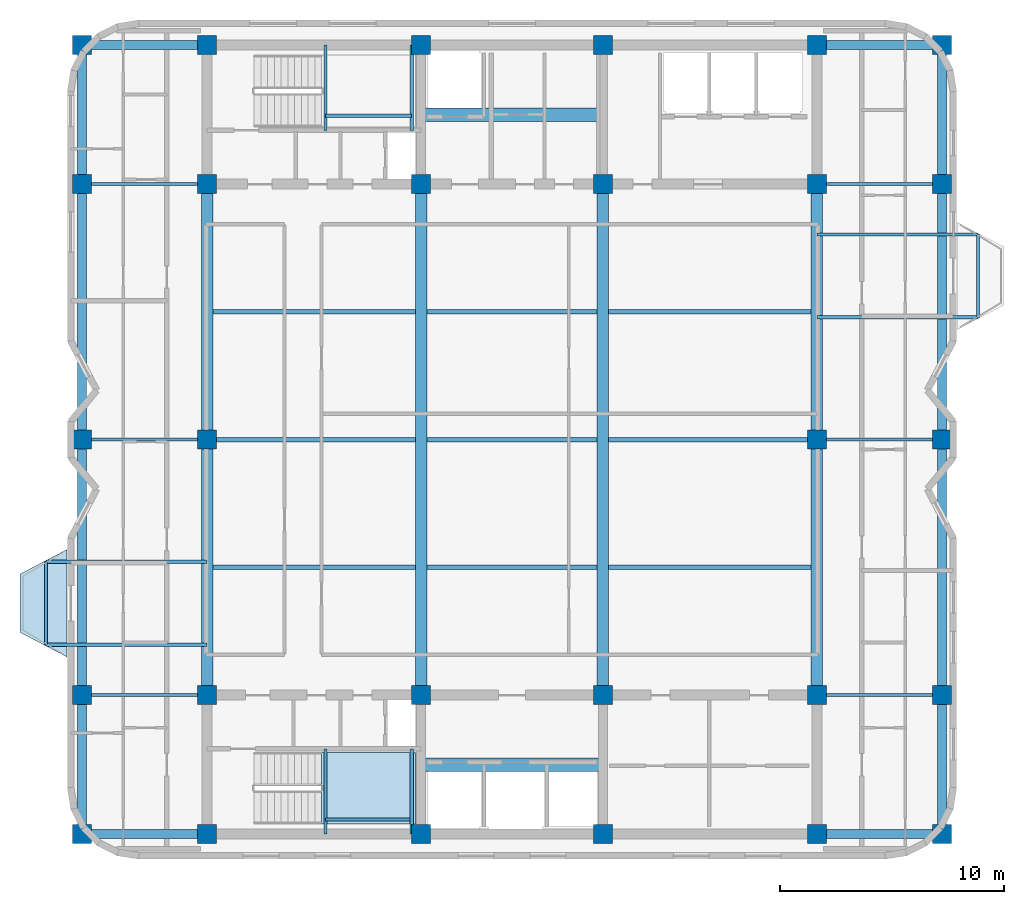
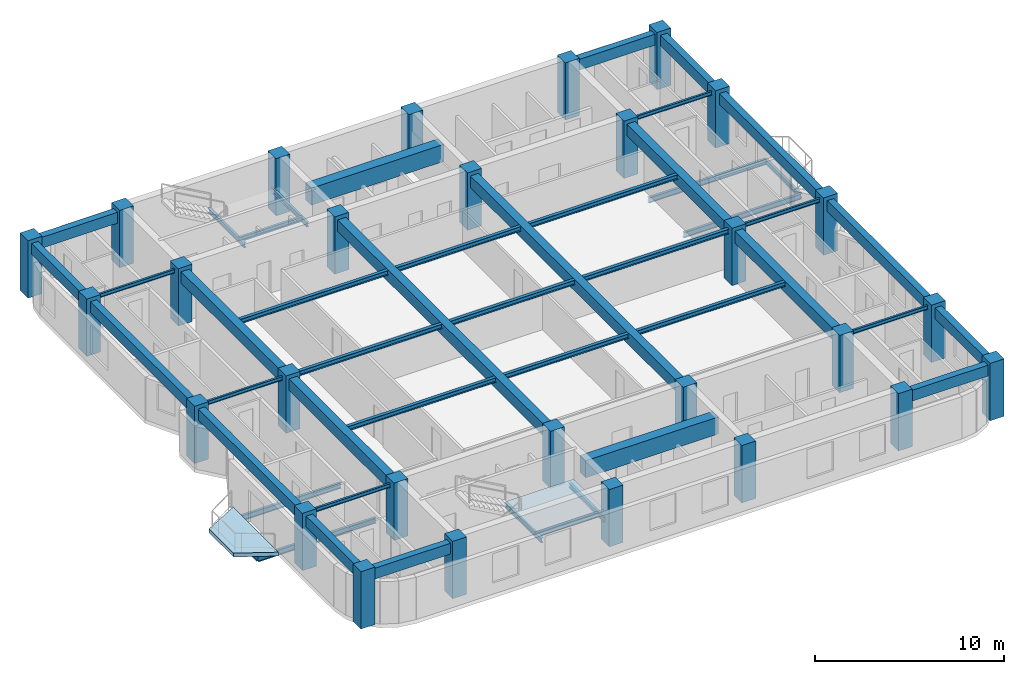
# One storey, part 1 of 9: 47 beams, 28 columns, 2 slabs, 1 element without a shape of its own.
"""IFC4 building model written with IfcOpenShell, lengths in metres."""

from ifc_helpers import new_model, si_unit, direction, frame, origin, origin_2d, place, context, subcontext, project, spatial, polyline, rectangle, i_section, outline, extrude, material, layer, layer_set, material_profile, profile_set, type_object, element, aggregate, save


model = new_model("IFC4")

# Units and contexts
model_context = context("Model", 3, precision=1e-05, world=origin(), true_north=direction((0.0, 1.0)))
body_context = subcontext(model_context, "Body", "Model", "MODEL_VIEW")
ifc_project = project(units=[si_unit("LENGTHUNIT", "METRE"), si_unit("AREAUNIT", "SQUARE_METRE"), si_unit("VOLUMEUNIT", "CUBIC_METRE"), si_unit("PLANEANGLEUNIT", "RADIAN"), si_unit("MASSUNIT", "GRAM", prefix="KILO")], contexts=[model_context])

# Site, building, storey
site_placement = place(None, origin())
site = spatial("IfcSite", under=ifc_project, at=site_placement, CompositionType="ELEMENT")
building_placement = place(site_placement, origin())
building = spatial("IfcBuilding", under=site, at=building_placement, Name="Svetorya Sky Lyceum", CompositionType="ELEMENT")
storey_placement = place(building_placement, frame((0.0, 0.0, 244.300048828125)))
storey = spatial("IfcBuildingStorey", under=building, at=storey_placement, Name="L61", CompositionType="ELEMENT", Elevation=244.300048828125)

# Columns
ifc_material_1 = material(Name="Concrete C50/60", Category="concrete")
ifc_material_profile_1 = material_profile(ifc_material_1, rectangle(XDim=0.85009765625, YDim=0.85009765625, at=origin_2d()), Name="RC COL 850x850")
ifc_profile_set_1 = profile_set([ifc_material_profile_1], Name="Concrete C50/60")
column_type = type_object("IfcColumnType", Name="COL-RC-850", PredefinedType="COLUMN", material=ifc_profile_set_1)
for number, where, z_axis, x_axis, name in (
    (1, (25.60009765625, 10.60009765625, 0.0), (0.0, 0.0, 1.0), (1.0, 0.0, 0.0), "L61 Core Column CS-11"),
    (2, (25.60009765625, 16.800048828125, 0.0), (0.0, 0.0, 1.0), (1.0, 0.0, 0.0), "L61 Core Column CS-12"),
    (3, (35.14990234375, 10.60009765625, 0.0), (0.0, 0.0, 1.0), (1.0, 0.0, 0.0), "L61 Core Column CS-21"),
    (4, (35.14990234375, 16.800048828125, 0.0), (0.0, 0.0, 1.0), (1.0, 0.0, 0.0), "L61 Core Column CS-22"),
    (5, (43.25, 10.60009765625, 0.0), (0.0, 0.0, 1.0), (1.0, 0.0, 0.0), "L61 Core Column CS-31"),
    (6, (43.25, 16.800048828125, 0.0), (0.0, 0.0, 1.0), (1.0, 0.0, 0.0), "L61 Core Column CS-32"),
    (7, (52.800048828125, 10.60009765625, 0.0), (0.0, 0.0, 1.0), (1.0, 0.0, 0.0), "L61 Core Column CS-41"),
    (8, (52.800048828125, 16.800048828125, 0.0), (0.0, 0.0, 1.0), (1.0, 0.0, 0.0), "L61 Core Column CS-42"),
    (9, (25.60009765625, 39.60009765625, 0.0), (0.0, 0.0, 1.0), (1.0, 0.0, 0.0), "L61 Core Column CN-11"),
    (10, (25.60009765625, 45.800048828125, 0.0), (0.0, 0.0, 1.0), (1.0, 0.0, 0.0), "L61 Core Column CN-12"),
    (11, (35.14990234375, 39.60009765625, 0.0), (0.0, 0.0, 1.0), (1.0, 0.0, 0.0), "L61 Core Column CN-21"),
    (12, (35.14990234375, 45.800048828125, 0.0), (0.0, 0.0, 1.0), (1.0, 0.0, 0.0), "L61 Core Column CN-22"),
    (13, (43.25, 39.60009765625, 0.0), (0.0, 0.0, 1.0), (1.0, 0.0, 0.0), "L61 Core Column CN-31"),
    (14, (43.25, 45.800048828125, 0.0), (0.0, 0.0, 1.0), (1.0, 0.0, 0.0), "L61 Core Column CN-32"),
    (15, (52.800048828125, 39.60009765625, 0.0), (0.0, 0.0, 1.0), (1.0, 0.0, 0.0), "L61 Core Column CN-41"),
    (16, (52.800048828125, 45.800048828125, 0.0), (0.0, 0.0, 1.0), (1.0, 0.0, 0.0), "L61 Core Column CN-42"),
    (17, (25.60009765625, 28.199951171875, 0.0), (0.0, 0.0, 1.0), (1.0, 0.0, 0.0), "L61 Core Column CM-W"),
    (18, (52.800048828125, 28.199951171875, 0.0), (0.0, 0.0, 1.0), (1.0, 0.0, 0.0), "L61 Core Column CM-E"),
    (19, (20.010009765625, 10.60009765625, 0.0), (0.0, 0.0, 1.0), (1.0, 0.0, 0.0), "L61 Perimeter Column W1"),
    (20, (58.389892578125, 10.60009765625, 0.0), (0.0, 0.0, 1.0), (1.0, 0.0, 0.0), "L61 Perimeter Column E1"),
    (21, (20.010009765625, 16.800048828125, 0.0), (0.0, 0.0, 1.0), (1.0, 0.0, 0.0), "L61 Perimeter Column W2"),
    (22, (58.389892578125, 16.800048828125, 0.0), (0.0, 0.0, 1.0), (1.0, 0.0, 0.0), "L61 Perimeter Column E2"),
    (23, (20.010009765625, 28.199951171875, 0.0), (0.0, 0.0, 1.0), (1.0, 0.0, 0.0), "L61 Perimeter Column W3"),
    (24, (58.389892578125, 28.199951171875, 0.0), (0.0, 0.0, 1.0), (1.0, 0.0, 0.0), "L61 Perimeter Column E3"),
    (25, (20.010009765625, 39.60009765625, 0.0), (0.0, 0.0, 1.0), (1.0, 0.0, 0.0), "L61 Perimeter Column W4"),
    (26, (58.389892578125, 39.60009765625, 0.0), (0.0, 0.0, 1.0), (1.0, 0.0, 0.0), "L61 Perimeter Column E4"),
    (27, (20.010009765625, 45.800048828125, 0.0), (0.0, 0.0, 1.0), (1.0, 0.0, 0.0), "L61 Perimeter Column W5"),
    (28, (58.389892578125, 45.800048828125, 0.0), (0.0, 0.0, 1.0), (1.0, 0.0, 0.0), "L61 Perimeter Column E5"),
):
    element("IfcColumn", number, at=place(storey_placement, frame(where, z_axis=z_axis, x_axis=x_axis)), inside=storey, type_object=column_type, Name=name, PredefinedType="COLUMN", context=body_context, shape_type="SweptSolid", body=[
        extrude(rectangle(XDim=0.85009765625, YDim=0.85009765625, at=origin_2d()), origin(), (0.0, 0.0, 1.0), 3.699951171875),
    ])

# Beams
ifc_material_2 = material(Name="Concrete C60/75", Category="concrete")
ifc_material_profile_2 = material_profile(ifc_material_2, rectangle(XDim=0.60009765625, YDim=1.10009765625, at=origin_2d()), Name="RC COUPLING 600x1100")
ifc_profile_set_2 = profile_set([ifc_material_profile_2], Name="Concrete C60/75")
beam_type_1 = type_object("IfcBeamType", Name="BM-CPL-1100", PredefinedType="LINTEL", material=ifc_profile_set_2)
for number, where, z_axis, x_axis, name in (
    (29, (35.14990234375, 13.699951171875, 2.89990234375), (1.0, 0.0, 0.0), (0.0, 1.0, 0.0), "L61 SC Core Coupling Beam"),
    (30, (35.14990234375, 42.699951171875, 2.89990234375), (1.0, 0.0, 0.0), (0.0, 1.0, 0.0), "L61 NC Core Coupling Beam"),
):
    element("IfcBeam", number, at=place(storey_placement, frame(where, z_axis=z_axis, x_axis=x_axis)), inside=storey, type_object=beam_type_1, Name=name, PredefinedType="LINTEL", context=body_context, shape_type="SweptSolid", body=[
        extrude(rectangle(XDim=0.60009765625, YDim=1.10009765625, at=origin_2d()), origin(), (0.0, 0.0, 1.0), 8.10009765625),
    ])
ifc_material_profile_3 = material_profile(ifc_material_1, rectangle(XDim=0.5, YDim=0.75, at=origin_2d()), Name="RC BEAM 500x750")
ifc_profile_set_3 = profile_set([ifc_material_profile_3], Name="Concrete C50/60")
beam_type_2 = type_object("IfcBeamType", Name="BM-RC-750", PredefinedType="BEAM", material=ifc_profile_set_3)
beam_1_placement = place(storey_placement, frame((25.60009765625, 16.800048828125, 3.074951171875), z_axis=(0.0, 1.0, 0.0), x_axis=(-1.0, 0.0, 0.0)))
element("IfcBeam", 31, at=beam_1_placement, inside=storey, type_object=beam_type_2, Name="L61 Central Bay Primary Girder CG-1A", PredefinedType="BEAM", context=body_context, shape_type="SweptSolid", body=[
    extrude(rectangle(XDim=0.5, YDim=0.75, at=origin_2d()), origin(), (0.0, 0.0, 1.0), 11.39990234375),
])
beam_2_placement = place(storey_placement, frame((25.60009765625, 28.199951171875, 3.074951171875), z_axis=(0.0, 1.0, 0.0), x_axis=(-1.0, 0.0, 0.0)))
element("IfcBeam", 32, at=beam_2_placement, inside=storey, type_object=beam_type_2, Name="L61 Central Bay Primary Girder CG-1B", PredefinedType="BEAM", context=body_context, shape_type="SweptSolid", body=[
    extrude(rectangle(XDim=0.5, YDim=0.75, at=origin_2d()), origin(), (0.0, 0.0, 1.0), 11.400146484375),
])
for number, where, z_axis, x_axis, name in (
    (33, (35.14990234375, 16.800048828125, 3.074951171875), (0.0, 1.0, 0.0), (-1.0, 0.0, 0.0), "L61 Central Bay Primary Girder CG-2"),
    (34, (43.25, 16.800048828125, 3.074951171875), (0.0, 1.0, 0.0), (-1.0, 0.0, 0.0), "L61 Central Bay Primary Girder CG-3"),
):
    element("IfcBeam", number, at=place(storey_placement, frame(where, z_axis=z_axis, x_axis=x_axis)), inside=storey, type_object=beam_type_2, Name=name, PredefinedType="BEAM", context=body_context, shape_type="SweptSolid", body=[
        extrude(rectangle(XDim=0.5, YDim=0.75, at=origin_2d()), origin(), (0.0, 0.0, 1.0), 22.800048828125),
    ])
beam_3_placement = place(storey_placement, frame((52.800048828125, 16.800048828125, 3.074951171875), z_axis=(0.0, 1.0, 0.0), x_axis=(-1.0, 0.0, 0.0)))
element("IfcBeam", 35, at=beam_3_placement, inside=storey, type_object=beam_type_2, Name="L61 Central Bay Primary Girder CG-4A", PredefinedType="BEAM", context=body_context, shape_type="SweptSolid", body=[
    extrude(rectangle(XDim=0.5, YDim=0.75, at=origin_2d()), origin(), (0.0, 0.0, 1.0), 11.39990234375),
])
beam_4_placement = place(storey_placement, frame((52.800048828125, 28.199951171875, 3.074951171875), z_axis=(0.0, 1.0, 0.0), x_axis=(-1.0, 0.0, 0.0)))
element("IfcBeam", 36, at=beam_4_placement, inside=storey, type_object=beam_type_2, Name="L61 Central Bay Primary Girder CG-4B", PredefinedType="BEAM", context=body_context, shape_type="SweptSolid", body=[
    extrude(rectangle(XDim=0.5, YDim=0.75, at=origin_2d()), origin(), (0.0, 0.0, 1.0), 11.400146484375),
])
ifc_material_profile_4 = material_profile(ifc_material_1, rectangle(XDim=0.39990234375, YDim=0.699951171875, at=origin_2d()), Name="RC SPANDREL 400x700")
ifc_profile_set_4 = profile_set([ifc_material_profile_4], Name="Concrete C50/60")
beam_type_3 = type_object("IfcBeamType", Name="BM-SPN-700", PredefinedType="SPANDREL", material=ifc_profile_set_4)
for number, where, z_axis, x_axis, name in (
    (37, (20.010009765625, 10.60009765625, 3.099853515625), (1.0, 0.0, 0.0), (0.0, 1.0, 0.0), "L61 Tie Spandrel SW"),
    (38, (20.010009765625, 45.800048828125, 3.099853515625), (1.0, 0.0, 0.0), (0.0, 1.0, 0.0), "L61 Tie Spandrel NW"),
):
    element("IfcBeam", number, at=place(storey_placement, frame(where, z_axis=z_axis, x_axis=x_axis)), inside=storey, type_object=beam_type_3, Name=name, PredefinedType="SPANDREL", context=body_context, shape_type="SweptSolid", body=[
        extrude(rectangle(XDim=0.39990234375, YDim=0.699951171875, at=origin_2d()), origin(), (0.0, 0.0, 1.0), 5.590087890625),
    ])
for number, where, z_axis, x_axis, name in (
    (39, (52.800048828125, 10.60009765625, 3.099853515625), (1.0, 0.0, 0.0), (0.0, 1.0, 0.0), "L61 Tie Spandrel SE"),
    (40, (52.800048828125, 45.800048828125, 3.099853515625), (1.0, 0.0, 0.0), (0.0, 1.0, 0.0), "L61 Tie Spandrel NE"),
):
    element("IfcBeam", number, at=place(storey_placement, frame(where, z_axis=z_axis, x_axis=x_axis)), inside=storey, type_object=beam_type_3, Name=name, PredefinedType="SPANDREL", context=body_context, shape_type="SweptSolid", body=[
        extrude(rectangle(XDim=0.39990234375, YDim=0.699951171875, at=origin_2d()), origin(), (0.0, 0.0, 1.0), 5.58984375),
    ])
beam_5_placement = place(storey_placement, frame((20.010009765625, 10.60009765625, 3.099853515625), z_axis=(0.0, 1.0, 0.0), x_axis=(-1.0, 0.0, 0.0)))
element("IfcBeam", 41, at=beam_5_placement, inside=storey, type_object=beam_type_3, Name="L61 West Spandrel 1", PredefinedType="SPANDREL", context=body_context, shape_type="SweptSolid", body=[
    extrude(rectangle(XDim=0.39990234375, YDim=0.699951171875, at=origin_2d()), origin(), (0.0, 0.0, 1.0), 6.199951171875),
])
beam_6_placement = place(storey_placement, frame((20.010009765625, 16.800048828125, 3.099853515625), z_axis=(0.0, 1.0, 0.0), x_axis=(-1.0, 0.0, 0.0)))
element("IfcBeam", 42, at=beam_6_placement, inside=storey, type_object=beam_type_3, Name="L61 West Spandrel 2", PredefinedType="SPANDREL", context=body_context, shape_type="SweptSolid", body=[
    extrude(rectangle(XDim=0.39990234375, YDim=0.699951171875, at=origin_2d()), origin(), (0.0, 0.0, 1.0), 11.39990234375),
])
beam_7_placement = place(storey_placement, frame((20.010009765625, 28.199951171875, 3.099853515625), z_axis=(0.0, 1.0, 0.0), x_axis=(-1.0, 0.0, 0.0)))
element("IfcBeam", 43, at=beam_7_placement, inside=storey, type_object=beam_type_3, Name="L61 West Spandrel 3", PredefinedType="SPANDREL", context=body_context, shape_type="SweptSolid", body=[
    extrude(rectangle(XDim=0.39990234375, YDim=0.699951171875, at=origin_2d()), origin(), (0.0, 0.0, 1.0), 11.400146484375),
])
for number, where, z_axis, x_axis, name in (
    (44, (20.010009765625, 39.60009765625, 3.099853515625), (0.0, 1.0, 0.0), (-1.0, 0.0, 0.0), "L61 West Spandrel 4"),
    (45, (58.389892578125, 10.60009765625, 3.099853515625), (0.0, 1.0, 0.0), (-1.0, 0.0, 0.0), "L61 East Spandrel 1"),
):
    element("IfcBeam", number, at=place(storey_placement, frame(where, z_axis=z_axis, x_axis=x_axis)), inside=storey, type_object=beam_type_3, Name=name, PredefinedType="SPANDREL", context=body_context, shape_type="SweptSolid", body=[
        extrude(rectangle(XDim=0.39990234375, YDim=0.699951171875, at=origin_2d()), origin(), (0.0, 0.0, 1.0), 6.199951171875),
    ])
beam_8_placement = place(storey_placement, frame((58.389892578125, 16.800048828125, 3.099853515625), z_axis=(0.0, 1.0, 0.0), x_axis=(-1.0, 0.0, 0.0)))
element("IfcBeam", 46, at=beam_8_placement, inside=storey, type_object=beam_type_3, Name="L61 East Spandrel 2", PredefinedType="SPANDREL", context=body_context, shape_type="SweptSolid", body=[
    extrude(rectangle(XDim=0.39990234375, YDim=0.699951171875, at=origin_2d()), origin(), (0.0, 0.0, 1.0), 11.39990234375),
])
beam_9_placement = place(storey_placement, frame((58.389892578125, 28.199951171875, 3.099853515625), z_axis=(0.0, 1.0, 0.0), x_axis=(-1.0, 0.0, 0.0)))
element("IfcBeam", 47, at=beam_9_placement, inside=storey, type_object=beam_type_3, Name="L61 East Spandrel 3", PredefinedType="SPANDREL", context=body_context, shape_type="SweptSolid", body=[
    extrude(rectangle(XDim=0.39990234375, YDim=0.699951171875, at=origin_2d()), origin(), (0.0, 0.0, 1.0), 11.400146484375),
])
beam_10_placement = place(storey_placement, frame((58.389892578125, 39.60009765625, 3.099853515625), z_axis=(0.0, 1.0, 0.0), x_axis=(-1.0, 0.0, 0.0)))
element("IfcBeam", 48, at=beam_10_placement, inside=storey, type_object=beam_type_3, Name="L61 East Spandrel 4", PredefinedType="SPANDREL", context=body_context, shape_type="SweptSolid", body=[
    extrude(rectangle(XDim=0.39990234375, YDim=0.699951171875, at=origin_2d()), origin(), (0.0, 0.0, 1.0), 6.199951171875),
])
ifc_material_3 = material(Name="Steel S355", Category="steel")
ifc_material_profile_5 = material_profile(ifc_material_3, i_section(OverallWidth=0.1240234375, OverallDepth=0.248046875, WebThickness=0.006103515625, FlangeThickness=0.009521484375, at=origin_2d()), Name="GOST 25B2")
ifc_profile_set_5 = profile_set([ifc_material_profile_5], Name="Steel S355")
beam_type_4 = type_object("IfcBeamType", Name="BM-STL-25B2", PredefinedType="JOIST", material=ifc_profile_set_5)
beam_11_placement = place(storey_placement, frame((20.010009765625, 16.800048828125, 3.325927734375), z_axis=(1.0, 0.0, 0.0), x_axis=(0.0, 1.0, 0.0)))
element("IfcBeam", 49, at=beam_11_placement, inside=storey, type_object=beam_type_4, Name="L61 West Wing Floor Joist W2", PredefinedType="JOIST", context=body_context, shape_type="SweptSolid", body=[
    extrude(i_section(OverallWidth=0.1240234375, OverallDepth=0.248046875, WebThickness=0.006103515625, FlangeThickness=0.009521484375, at=origin_2d()), origin(), (0.0, 0.0, 1.0), 5.590087890625),
])
beam_12_placement = place(storey_placement, frame((52.800048828125, 16.800048828125, 3.325927734375), z_axis=(1.0, 0.0, 0.0), x_axis=(0.0, 1.0, 0.0)))
element("IfcBeam", 50, at=beam_12_placement, inside=storey, type_object=beam_type_4, Name="L61 East Wing Floor Joist E2", PredefinedType="JOIST", context=body_context, shape_type="SweptSolid", body=[
    extrude(i_section(OverallWidth=0.1240234375, OverallDepth=0.248046875, WebThickness=0.006103515625, FlangeThickness=0.009521484375, at=origin_2d()), origin(), (0.0, 0.0, 1.0), 5.58984375),
])
beam_13_placement = place(storey_placement, frame((20.010009765625, 28.199951171875, 3.325927734375), z_axis=(1.0, 0.0, 0.0), x_axis=(0.0, 1.0, 0.0)))
element("IfcBeam", 51, at=beam_13_placement, inside=storey, type_object=beam_type_4, Name="L61 West Wing Floor Joist W3", PredefinedType="JOIST", context=body_context, shape_type="SweptSolid", body=[
    extrude(i_section(OverallWidth=0.1240234375, OverallDepth=0.248046875, WebThickness=0.006103515625, FlangeThickness=0.009521484375, at=origin_2d()), origin(), (0.0, 0.0, 1.0), 5.590087890625),
])
beam_14_placement = place(storey_placement, frame((52.800048828125, 28.199951171875, 3.325927734375), z_axis=(1.0, 0.0, 0.0), x_axis=(0.0, 1.0, 0.0)))
element("IfcBeam", 52, at=beam_14_placement, inside=storey, type_object=beam_type_4, Name="L61 East Wing Floor Joist E3", PredefinedType="JOIST", context=body_context, shape_type="SweptSolid", body=[
    extrude(i_section(OverallWidth=0.1240234375, OverallDepth=0.248046875, WebThickness=0.006103515625, FlangeThickness=0.009521484375, at=origin_2d()), origin(), (0.0, 0.0, 1.0), 5.58984375),
])
beam_15_placement = place(storey_placement, frame((20.010009765625, 39.60009765625, 3.325927734375), z_axis=(1.0, 0.0, 0.0), x_axis=(0.0, 1.0, 0.0)))
element("IfcBeam", 53, at=beam_15_placement, inside=storey, type_object=beam_type_4, Name="L61 West Wing Floor Joist W4", PredefinedType="JOIST", context=body_context, shape_type="SweptSolid", body=[
    extrude(i_section(OverallWidth=0.1240234375, OverallDepth=0.248046875, WebThickness=0.006103515625, FlangeThickness=0.009521484375, at=origin_2d()), origin(), (0.0, 0.0, 1.0), 5.590087890625),
])
beam_16_placement = place(storey_placement, frame((52.800048828125, 39.60009765625, 3.325927734375), z_axis=(1.0, 0.0, 0.0), x_axis=(0.0, 1.0, 0.0)))
element("IfcBeam", 54, at=beam_16_placement, inside=storey, type_object=beam_type_4, Name="L61 East Wing Floor Joist E4", PredefinedType="JOIST", context=body_context, shape_type="SweptSolid", body=[
    extrude(i_section(OverallWidth=0.1240234375, OverallDepth=0.248046875, WebThickness=0.006103515625, FlangeThickness=0.009521484375, at=origin_2d()), origin(), (0.0, 0.0, 1.0), 5.58984375),
])
ifc_material_profile_6 = material_profile(ifc_material_3, i_section(OverallWidth=0.14990234375, OverallDepth=0.299072265625, WebThickness=0.006591796875, FlangeThickness=0.010498046875, at=origin_2d()), Name="GOST 30B2")
ifc_profile_set_6 = profile_set([ifc_material_profile_6], Name="Steel S355")
beam_type_5 = type_object("IfcBeamType", Name="BM-STL-30B2", PredefinedType="JOIST", material=ifc_profile_set_6)
beam_17_placement = place(storey_placement, frame((18.409912109375, 19.050048828125, -0.424560546875), z_axis=(0.0, 1.0, 0.0), x_axis=(-1.0, 0.0, 0.0)))
element("IfcBeam", 55, at=beam_17_placement, inside=storey, type_object=beam_type_5, Name="L61 Balcony Edge Tie BAL-W1", PredefinedType="JOIST", context=body_context, shape_type="SweptSolid", body=[
    extrude(i_section(OverallWidth=0.14990234375, OverallDepth=0.299072265625, WebThickness=0.006591796875, FlangeThickness=0.010498046875, at=origin_2d()), origin(), (0.0, 0.0, 1.0), 3.699951171875),
])
beam_18_placement = place(storey_placement, frame((59.989990234375, 33.64990234375, -0.424560546875), z_axis=(0.0, 1.0, 0.0), x_axis=(-1.0, 0.0, 0.0)))
element("IfcBeam", 56, at=beam_18_placement, inside=storey, type_object=beam_type_5, Name="L61 Balcony Edge Tie BAL-E1", PredefinedType="JOIST", context=body_context, shape_type="SweptSolid", body=[
    extrude(i_section(OverallWidth=0.14990234375, OverallDepth=0.299072265625, WebThickness=0.006591796875, FlangeThickness=0.010498046875, at=origin_2d()), origin(), (0.0, 0.0, 1.0), 3.7001953125),
])
for number, where, z_axis, x_axis, name in (
    (57, (30.8798828125, 10.60009765625, 1.50048828125), (0.0, 1.0, 0.0), (-1.0, 0.0, 0.0), "L61 Stair ST-S Half-Landing Support Beam 69.1"),
    (58, (34.719970703125, 10.60009765625, 1.50048828125), (0.0, 1.0, 0.0), (-1.0, 0.0, 0.0), "L61 Stair ST-S Half-Landing Support Beam 69.2"),
):
    element("IfcBeam", number, at=place(storey_placement, frame(where, z_axis=z_axis, x_axis=x_axis)), inside=storey, type_object=beam_type_5, Name=name, PredefinedType="JOIST", context=body_context, shape_type="SweptSolid", body=[
        extrude(i_section(OverallWidth=0.14990234375, OverallDepth=0.299072265625, WebThickness=0.006591796875, FlangeThickness=0.010498046875, at=origin_2d()), origin(), (0.0, 0.0, 1.0), 3.7998046875),
    ])
beam_19_placement = place(storey_placement, frame((30.8798828125, 11.25, 1.50048828125), z_axis=(1.0, 0.0, 0.0), x_axis=(0.0, 1.0, 0.0)))
element("IfcBeam", 59, at=beam_19_placement, inside=storey, type_object=beam_type_5, Name="L61 Stair ST-S Half-Landing Cross Tie 69", PredefinedType="JOIST", context=body_context, shape_type="SweptSolid", body=[
    extrude(i_section(OverallWidth=0.14990234375, OverallDepth=0.299072265625, WebThickness=0.006591796875, FlangeThickness=0.010498046875, at=origin_2d()), origin(), (0.0, 0.0, 1.0), 3.840087890625),
])
for number, where, z_axis, x_axis, name in (
    (60, (30.8798828125, 42.0, 1.50048828125), (0.0, 1.0, 0.0), (-1.0, 0.0, 0.0), "L61 Stair ST-N Half-Landing Support Beam 69.1"),
    (61, (34.719970703125, 42.0, 1.50048828125), (0.0, 1.0, 0.0), (-1.0, 0.0, 0.0), "L61 Stair ST-N Half-Landing Support Beam 69.2"),
):
    element("IfcBeam", number, at=place(storey_placement, frame(where, z_axis=z_axis, x_axis=x_axis)), inside=storey, type_object=beam_type_5, Name=name, PredefinedType="JOIST", context=body_context, shape_type="SweptSolid", body=[
        extrude(i_section(OverallWidth=0.14990234375, OverallDepth=0.299072265625, WebThickness=0.006591796875, FlangeThickness=0.010498046875, at=origin_2d()), origin(), (0.0, 0.0, 1.0), 3.800048828125),
    ])
beam_20_placement = place(storey_placement, frame((30.8798828125, 42.64990234375, 1.50048828125), z_axis=(1.0, 0.0, 0.0), x_axis=(0.0, 1.0, 0.0)))
element("IfcBeam", 62, at=beam_20_placement, inside=storey, type_object=beam_type_5, Name="L61 Stair ST-N Half-Landing Cross Tie 69", PredefinedType="JOIST", context=body_context, shape_type="SweptSolid", body=[
    extrude(i_section(OverallWidth=0.14990234375, OverallDepth=0.299072265625, WebThickness=0.006591796875, FlangeThickness=0.010498046875, at=origin_2d()), origin(), (0.0, 0.0, 1.0), 3.840087890625),
])
ifc_material_profile_7 = material_profile(ifc_material_3, i_section(OverallWidth=0.199951171875, OverallDepth=0.298095703125, WebThickness=0.008544921875, FlangeThickness=0.012939453125, at=origin_2d()), Name="GOST 30Sh2")
ifc_profile_set_7 = profile_set([ifc_material_profile_7], Name="Steel S355")
beam_type_6 = type_object("IfcBeamType", Name="BM-STL-30SH2", PredefinedType="BEAM", material=ifc_profile_set_7)
beam_21_placement = place(storey_placement, frame((25.85009765625, 22.5, 3.301025390625), z_axis=(1.0, 0.0, 0.0), x_axis=(0.0, 1.0, 0.0)))
element("IfcBeam", 63, at=beam_21_placement, inside=storey, type_object=beam_type_6, Name="L61 Central Floor Joist CJ-1.1", PredefinedType="BEAM", context=body_context, shape_type="SweptSolid", body=[
    extrude(i_section(OverallWidth=0.199951171875, OverallDepth=0.298095703125, WebThickness=0.008544921875, FlangeThickness=0.012939453125, at=origin_2d()), origin(), (0.0, 0.0, 1.0), 9.0498046875),
])
beam_22_placement = place(storey_placement, frame((35.39990234375, 22.5, 3.301025390625), z_axis=(1.0, 0.0, 0.0), x_axis=(0.0, 1.0, 0.0)))
element("IfcBeam", 64, at=beam_22_placement, inside=storey, type_object=beam_type_6, Name="L61 Central Floor Joist CJ-1.2", PredefinedType="BEAM", context=body_context, shape_type="SweptSolid", body=[
    extrude(i_section(OverallWidth=0.199951171875, OverallDepth=0.298095703125, WebThickness=0.008544921875, FlangeThickness=0.012939453125, at=origin_2d()), origin(), (0.0, 0.0, 1.0), 7.60009765625),
])
beam_23_placement = place(storey_placement, frame((43.5, 22.5, 3.301025390625), z_axis=(1.0, 0.0, 0.0), x_axis=(0.0, 1.0, 0.0)))
element("IfcBeam", 65, at=beam_23_placement, inside=storey, type_object=beam_type_6, Name="L61 Central Floor Joist CJ-1.3", PredefinedType="BEAM", context=body_context, shape_type="SweptSolid", body=[
    extrude(i_section(OverallWidth=0.199951171875, OverallDepth=0.298095703125, WebThickness=0.008544921875, FlangeThickness=0.012939453125, at=origin_2d()), origin(), (0.0, 0.0, 1.0), 9.050048828125),
])
beam_24_placement = place(storey_placement, frame((25.85009765625, 28.199951171875, 3.301025390625), z_axis=(1.0, 0.0, 0.0), x_axis=(0.0, 1.0, 0.0)))
element("IfcBeam", 66, at=beam_24_placement, inside=storey, type_object=beam_type_6, Name="L61 Central Floor Joist CJ-2.1", PredefinedType="BEAM", context=body_context, shape_type="SweptSolid", body=[
    extrude(i_section(OverallWidth=0.199951171875, OverallDepth=0.298095703125, WebThickness=0.008544921875, FlangeThickness=0.012939453125, at=origin_2d()), origin(), (0.0, 0.0, 1.0), 9.0498046875),
])
beam_25_placement = place(storey_placement, frame((35.39990234375, 28.199951171875, 3.301025390625), z_axis=(1.0, 0.0, 0.0), x_axis=(0.0, 1.0, 0.0)))
element("IfcBeam", 67, at=beam_25_placement, inside=storey, type_object=beam_type_6, Name="L61 Central Floor Joist CJ-2.2", PredefinedType="BEAM", context=body_context, shape_type="SweptSolid", body=[
    extrude(i_section(OverallWidth=0.199951171875, OverallDepth=0.298095703125, WebThickness=0.008544921875, FlangeThickness=0.012939453125, at=origin_2d()), origin(), (0.0, 0.0, 1.0), 7.60009765625),
])
beam_26_placement = place(storey_placement, frame((43.5, 28.199951171875, 3.301025390625), z_axis=(1.0, 0.0, 0.0), x_axis=(0.0, 1.0, 0.0)))
element("IfcBeam", 68, at=beam_26_placement, inside=storey, type_object=beam_type_6, Name="L61 Central Floor Joist CJ-2.3", PredefinedType="BEAM", context=body_context, shape_type="SweptSolid", body=[
    extrude(i_section(OverallWidth=0.199951171875, OverallDepth=0.298095703125, WebThickness=0.008544921875, FlangeThickness=0.012939453125, at=origin_2d()), origin(), (0.0, 0.0, 1.0), 9.050048828125),
])
beam_27_placement = place(storey_placement, frame((25.85009765625, 33.89990234375, 3.301025390625), z_axis=(1.0, 0.0, 0.0), x_axis=(0.0, 1.0, 0.0)))
element("IfcBeam", 69, at=beam_27_placement, inside=storey, type_object=beam_type_6, Name="L61 Central Floor Joist CJ-3.1", PredefinedType="BEAM", context=body_context, shape_type="SweptSolid", body=[
    extrude(i_section(OverallWidth=0.199951171875, OverallDepth=0.298095703125, WebThickness=0.008544921875, FlangeThickness=0.012939453125, at=origin_2d()), origin(), (0.0, 0.0, 1.0), 9.0498046875),
])
beam_28_placement = place(storey_placement, frame((35.39990234375, 33.89990234375, 3.301025390625), z_axis=(1.0, 0.0, 0.0), x_axis=(0.0, 1.0, 0.0)))
element("IfcBeam", 70, at=beam_28_placement, inside=storey, type_object=beam_type_6, Name="L61 Central Floor Joist CJ-3.2", PredefinedType="BEAM", context=body_context, shape_type="SweptSolid", body=[
    extrude(i_section(OverallWidth=0.199951171875, OverallDepth=0.298095703125, WebThickness=0.008544921875, FlangeThickness=0.012939453125, at=origin_2d()), origin(), (0.0, 0.0, 1.0), 7.60009765625),
])
beam_29_placement = place(storey_placement, frame((43.5, 33.89990234375, 3.301025390625), z_axis=(1.0, 0.0, 0.0), x_axis=(0.0, 1.0, 0.0)))
element("IfcBeam", 71, at=beam_29_placement, inside=storey, type_object=beam_type_6, Name="L61 Central Floor Joist CJ-3.3", PredefinedType="BEAM", context=body_context, shape_type="SweptSolid", body=[
    extrude(i_section(OverallWidth=0.199951171875, OverallDepth=0.298095703125, WebThickness=0.008544921875, FlangeThickness=0.012939453125, at=origin_2d()), origin(), (0.0, 0.0, 1.0), 9.050048828125),
])
ifc_material_profile_8 = material_profile(ifc_material_3, i_section(OverallWidth=0.155029296875, OverallDepth=0.34912109375, WebThickness=0.007080078125, FlangeThickness=0.011474609375, at=origin_2d()), Name="GOST 35B2")
ifc_profile_set_8 = profile_set([ifc_material_profile_8], Name="Steel S355")
beam_type_7 = type_object("IfcBeamType", Name="BM-STL-35B2", PredefinedType="JOIST", material=ifc_profile_set_8)
for number, where, z_axis, x_axis, name in (
    (72, (25.60009765625, 19.050048828125, -0.424560546875), (-1.0, 0.0, 0.0), (0.0, -1.0, 0.0), "L61 Balcony Cantilever Beam BAL-W1-1"),
    (73, (25.60009765625, 22.75, -0.424560546875), (-1.0, 0.0, 0.0), (0.0, -1.0, 0.0), "L61 Balcony Cantilever Beam BAL-W1-2"),
):
    element("IfcBeam", number, at=place(storey_placement, frame(where, z_axis=z_axis, x_axis=x_axis)), inside=storey, type_object=beam_type_7, Name=name, PredefinedType="JOIST", context=body_context, shape_type="SweptSolid", body=[
        extrude(i_section(OverallWidth=0.155029296875, OverallDepth=0.34912109375, WebThickness=0.007080078125, FlangeThickness=0.011474609375, at=origin_2d()), origin(), (0.0, 0.0, 1.0), 7.190185546875),
    ])
for number, where, z_axis, x_axis, name in (
    (74, (52.800048828125, 33.64990234375, -0.424560546875), (1.0, 0.0, 0.0), (0.0, 1.0, 0.0), "L61 Balcony Cantilever Beam BAL-E1-1"),
    (75, (52.800048828125, 37.35009765625, -0.424560546875), (1.0, 0.0, 0.0), (0.0, 1.0, 0.0), "L61 Balcony Cantilever Beam BAL-E1-2"),
):
    element("IfcBeam", number, at=place(storey_placement, frame(where, z_axis=z_axis, x_axis=x_axis)), inside=storey, type_object=beam_type_7, Name=name, PredefinedType="JOIST", context=body_context, shape_type="SweptSolid", body=[
        extrude(i_section(OverallWidth=0.155029296875, OverallDepth=0.34912109375, WebThickness=0.007080078125, FlangeThickness=0.011474609375, at=origin_2d()), origin(), (0.0, 0.0, 1.0), 7.18994140625),
    ])

# Slab
ifc_material_4 = material(Name="Concrete C40/50", Category="concrete")
ifc_layer_1 = layer(ifc_material_4, 0.25)
ifc_layer_set_1 = layer_set([ifc_layer_1], Name="Concrete C40/50")
slab_type_1 = type_object("IfcSlabType", Name="SL-BAL-250", PredefinedType="FLOOR", material=ifc_layer_set_1)
slab_1_placement = place(storey_placement, frame((0.0, 0.0, -0.25)))
element("IfcSlab", 76, at=slab_1_placement, inside=storey, type_object=slab_type_1, Name="L61 Chamfered Loggia Balcony BAL-W1", PredefinedType="FLOOR", context=body_context, shape_type="SweptSolid", body=[
    extrude(outline(polyline([(19.35009765625, 18.5), (19.35009765625, 23.300048828125), (17.25, 22.199951171875), (17.25, 19.60009765625), (19.35009765625, 18.5)])), origin(), (0.0, 0.0, 1.0), 0.25),
])

# Stair, slab
stair_type = type_object("IfcStairType", Name="STR-ST-S", PredefinedType="HALF_TURN_STAIR", material=ifc_material_4)
stair_placement = place(storey_placement, origin())
stair = element("IfcStair", 77, at=stair_placement, inside=storey, type_object=stair_type, Name="L61 South Core Smoke-Free Exit Stair N2", PredefinedType="HALF_TURN_STAIR")
ifc_layer_2 = layer(ifc_material_4, 0.199951171875)
ifc_layer_set_2 = layer_set([ifc_layer_2], Name="Concrete C40/50")
slab_type_2 = type_object("IfcSlabType", Name="SL-STR-LAND-200", PredefinedType="LANDING", material=ifc_layer_set_2)
slab_2_placement = place(storey_placement, frame((0.0, 0.0, 1.64990234375)))
slab_2 = element("IfcSlab", 78, at=slab_2_placement, type_object=slab_type_2, Name="ST-S landing 1", PredefinedType="LANDING", context=body_context, shape_type="SweptSolid", body=[
    extrude(outline(polyline([(30.699951171875, 11.050048828125), (34.89990234375, 11.050048828125), (34.89990234375, 14.25), (30.699951171875, 14.25), (30.699951171875, 11.050048828125)])), origin(), (0.0, 0.0, 1.0), 0.199951171875),
])
aggregate(stair, [slab_2])

save(model, "model.ifc")
